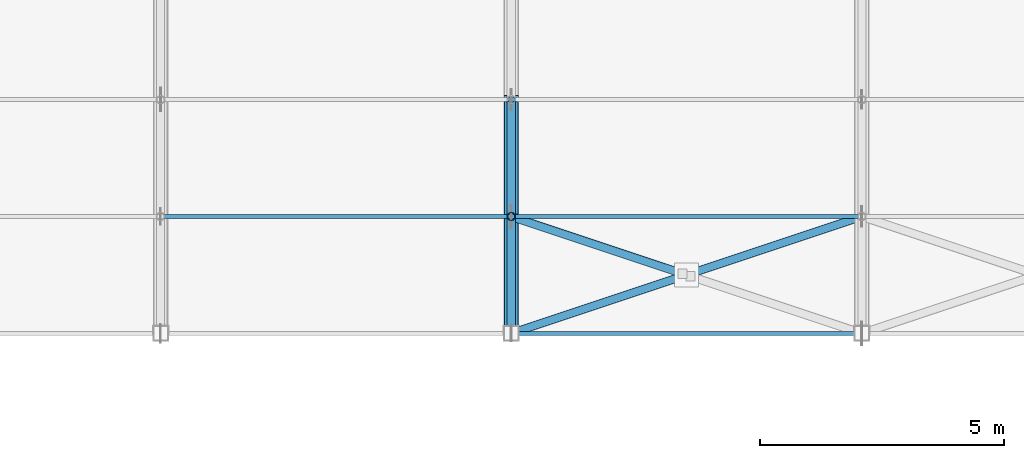
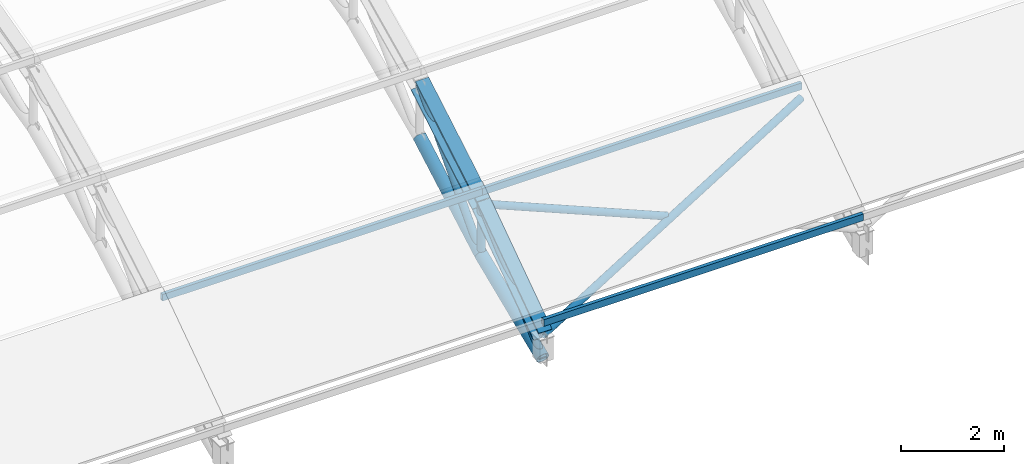
# One storey, part 9 of 63: 10 members, 2 beams.
"""IFC4 building model written with IfcOpenShell, lengths in metres."""

from ifc_helpers import new_model, si_unit, direction, frame, origin, origin_2d, place, context, subcontext, project, spatial, hollow_rectangle, hollow_circle, i_section, extrude, material, material_profile, profile_set, type_object, element, save


model = new_model("IFC4")

# Units and contexts
model_context = context("Model", 3, precision=1e-05, world=origin(), true_north=direction((0.0, 1.0)))
body_context = subcontext(model_context, "Body", "Model", "MODEL_VIEW")
ifc_project = project(units=[si_unit("LENGTHUNIT", "METRE"), si_unit("AREAUNIT", "SQUARE_METRE"), si_unit("VOLUMEUNIT", "CUBIC_METRE"), si_unit("PLANEANGLEUNIT", "RADIAN"), si_unit("MASSUNIT", "GRAM", prefix="KILO")], contexts=[model_context])

# Site, building, storey
site_placement = place(None, origin())
site = spatial("IfcSite", under=ifc_project, at=site_placement, CompositionType="ELEMENT")
building_placement = place(site_placement, origin())
building = spatial("IfcBuilding", under=site, at=building_placement, Name="Solvadek Multi-Sports Hall", CompositionType="ELEMENT")
storey_placement = place(building_placement, frame((0.0, 0.0, 19.199951171875)))
storey = spatial("IfcBuildingStorey", under=building, at=storey_placement, Name="RF", CompositionType="ELEMENT", Elevation=19.199951171875)

# Members
ifc_material_1 = material(Name="Steel E350 (350 MPa)", Category="steel")
ifc_material_profile_1 = material_profile(ifc_material_1, hollow_circle(Radius=0.084228515625, WallThickness=0.008056640625, at=origin_2d()), Name="CHS 168.3x8")
ifc_profile_set_1 = profile_set([ifc_material_profile_1], Name="Steel E350 (350 MPa)")
member_type_1 = type_object("IfcMemberType", Name="STR-BRC-CHS168", PredefinedType="BRACE", material=ifc_profile_set_1)
member_1_placement = place(storey_placement, frame((43.199951171875, 49.199951171875, -4.800048828125), z_axis=(0.0, 0.734794847971, 0.678289415659), x_axis=(-1.0, 0.0, 0.0)))
element("IfcMember", 1, at=member_1_placement, inside=storey, type_object=member_type_1, Name="v4 Truss 4 Web Diagonal 1", PredefinedType="BRACE", context=body_context, shape_type="SweptSolid", body=[
    extrude(hollow_circle(Radius=0.084228515625, WallThickness=0.008056640625, at=origin_2d()), origin(), (0.0, 0.0, 1.0), 3.266357421875),
])
member_2_placement = place(storey_placement, frame((43.199951171875, 51.60009765625, -3.792724609375), z_axis=(0.0, 0.0, 1.0), x_axis=(1.0, 0.0, 0.0)))
element("IfcMember", 2, at=member_2_placement, inside=storey, type_object=member_type_1, Name="v4 Truss 4 Web Vertical 1", PredefinedType="BRACE", context=body_context, shape_type="SweptSolid", body=[
    extrude(hollow_circle(Radius=0.084228515625, WallThickness=0.008056640625, at=origin_2d()), origin(), (0.0, 0.0, 1.0), 1.208251953125),
])
member_3_placement = place(storey_placement, frame((43.199951171875, 51.60009765625, -3.792724609375), z_axis=(0.0, 0.675780661661, 0.737102772566), x_axis=(-1.0, 0.0, 0.0)))
element("IfcMember", 3, at=member_3_placement, inside=storey, type_object=member_type_1, Name="v4 Truss 4 Web Diagonal 2", PredefinedType="BRACE", context=body_context, shape_type="SweptSolid", body=[
    extrude(hollow_circle(Radius=0.084228515625, WallThickness=0.008056640625, at=origin_2d()), origin(), (0.0, 0.0, 1.0), 3.55126953125),
])
member_4_placement = place(storey_placement, frame((43.199951171875, 49.199951171875, -4.25), z_axis=(0.926626343955, 0.308896395084, 0.214351663845), x_axis=(-0.316247066962, 0.948676864184, 0.0)))
element("IfcMember", 4, at=member_4_placement, inside=storey, type_object=member_type_1, Name="V4 Roof Plan Brace #17", PredefinedType="BRACE", context=body_context, shape_type="SweptSolid", body=[
    extrude(hollow_circle(Radius=0.084228515625, WallThickness=0.008056640625, at=origin_2d()), origin(), (0.0, 0.0, 1.0), 7.77001953125),
])
member_5_placement = place(storey_placement, frame((43.199951171875, 51.60009765625, -2.58447265625), z_axis=(0.926628141371, -0.308897502809, -0.214342297219), x_axis=(0.316247535538, 0.948676707981, 0.0)))
element("IfcMember", 5, at=member_5_placement, inside=storey, type_object=member_type_1, Name="V4 Roof Plan Half-Brace #18A", PredefinedType="BRACE", context=body_context, shape_type="SweptSolid", body=[
    extrude(hollow_circle(Radius=0.084228515625, WallThickness=0.008056640625, at=origin_2d()), origin(), (0.0, 0.0, 1.0), 3.79296875),
])
ifc_material_profile_2 = material_profile(ifc_material_1, hollow_circle(Radius=0.136474609375, WallThickness=0.011962890625, at=origin_2d()), Name="CHS 273.0x12")
ifc_profile_set_2 = profile_set([ifc_material_profile_2], Name="Steel E350 (350 MPa)")
member_type_2 = type_object("IfcMemberType", Name="STR-CHD-CHS273", PredefinedType="CHORD", material=ifc_profile_set_2)
member_6_placement = place(storey_placement, frame((43.199951171875, 49.199951171875, -4.800048828125), z_axis=(0.0, 0.922083202682, 0.38699168897), x_axis=(-1.0, 0.0, 0.0)))
element("IfcMember", 6, at=member_6_placement, inside=storey, type_object=member_type_2, Name="v4 Arched Truss 4 Bottom Chord 1", PredefinedType="CHORD", context=body_context, shape_type="SweptSolid", body=[
    extrude(hollow_circle(Radius=0.136474609375, WallThickness=0.011962890625, at=origin_2d()), origin(), (0.0, 0.0, 1.0), 2.60302734375),
])
member_7_placement = place(storey_placement, frame((43.199951171875, 51.60009765625, -3.792724609375), z_axis=(0.0, 0.871400291801, 0.490572656646), x_axis=(-1.0, 0.0, 0.0)))
element("IfcMember", 7, at=member_7_placement, inside=storey, type_object=member_type_2, Name="v4 Arched Truss 4 Bottom Chord 2", PredefinedType="CHORD", context=body_context, shape_type="SweptSolid", body=[
    extrude(hollow_circle(Radius=0.136474609375, WallThickness=0.011962890625, at=origin_2d()), origin(), (0.0, 0.0, 1.0), 2.754150390625),
])
ifc_material_2 = material(Name="Steel E250 (250 MPa)", Category="steel")
ifc_material_profile_3 = material_profile(ifc_material_2, hollow_rectangle(XDim=0.080078125, YDim=0.159912109375, WallThickness=0.006103515625, at=origin_2d()), Name="RHS 160x80x6")
ifc_profile_set_3 = profile_set([ifc_material_profile_3], Name="Steel E250 (250 MPa)")
member_type_3 = type_object("IfcMemberType", Name="STR-PUR-RHS160", PredefinedType="PURLIN", material=ifc_profile_set_3)
for number, where, z_axis, x_axis, name in (
    (8, (36.0, 51.60009765625, -2.28125), (1.0, 0.0, 0.0), (0.0, 1.0, 0.0), "V4 Roof Purlin #83"),
    (9, (43.199951171875, 49.199951171875, -3.94677734375), (1.0, 0.0, 0.0), (0.0, 1.0, 0.0), "V4 Roof Purlin #91"),
    (10, (43.199951171875, 51.60009765625, -2.28125), (1.0, 0.0, 0.0), (0.0, 1.0, 0.0), "V4 Roof Purlin #92"),
):
    element("IfcMember", number, at=place(storey_placement, frame(where, z_axis=z_axis, x_axis=x_axis)), inside=storey, type_object=member_type_3, Name=name, PredefinedType="PURLIN", context=body_context, shape_type="SweptSolid", body=[
        extrude(hollow_rectangle(XDim=0.080078125, YDim=0.159912109375, WallThickness=0.006103515625, at=origin_2d()), origin(), (0.0, 0.0, 1.0), 7.199951171875),
    ])

# Beams
ifc_material_profile_4 = material_profile(ifc_material_1, i_section(OverallWidth=0.300048828125, OverallDepth=0.360107421875, WebThickness=0.012451171875, FlangeThickness=0.0224609375, at=origin_2d()), Name="WPB 360")
ifc_profile_set_4 = profile_set([ifc_material_profile_4], Name="Steel E350 (350 MPa)")
beam_type = type_object("IfcBeamType", Name="STR-TRS-WPB360", PredefinedType="USERDEFINED", material=ifc_profile_set_4)
beam_1_placement = place(storey_placement, frame((43.199951171875, 49.199951171875, -4.25), z_axis=(0.0, 0.821568941781, 0.570109177177), x_axis=(-1.0, 0.0, 0.0)))
element("IfcBeam", 11, at=beam_1_placement, inside=storey, type_object=beam_type, Name="v4 Arched Truss 4 Top Chord 1", ObjectType="ROOF TRUSS", PredefinedType="USERDEFINED", context=body_context, shape_type="SweptSolid", body=[
    extrude(i_section(OverallWidth=0.300048828125, OverallDepth=0.360107421875, WebThickness=0.012451171875, FlangeThickness=0.0224609375, at=origin_2d()), origin(), (0.0, 0.0, 1.0), 2.92138671875),
])
beam_2_placement = place(storey_placement, frame((43.199951171875, 51.60009765625, -2.58447265625), z_axis=(0.0, 0.862292548737, 0.506410466313), x_axis=(-1.0, 0.0, 0.0)))
element("IfcBeam", 12, at=beam_2_placement, inside=storey, type_object=beam_type, Name="v4 Arched Truss 4 Top Chord 2", ObjectType="ROOF TRUSS", PredefinedType="USERDEFINED", context=body_context, shape_type="SweptSolid", body=[
    extrude(i_section(OverallWidth=0.300048828125, OverallDepth=0.360107421875, WebThickness=0.012451171875, FlangeThickness=0.0224609375, at=origin_2d()), origin(), (0.0, 0.0, 1.0), 2.783203125),
])

save(model, "model.ifc")
